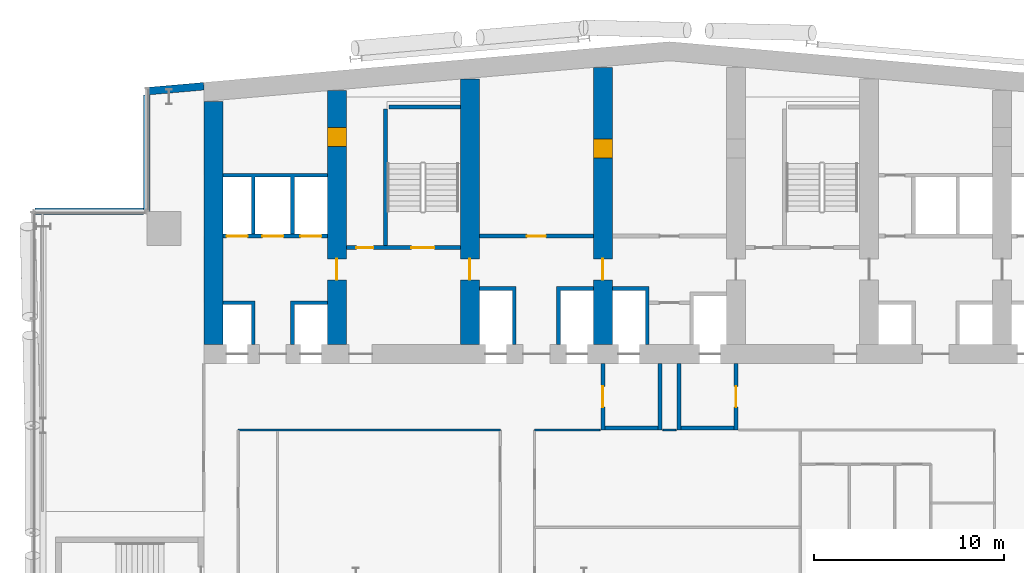
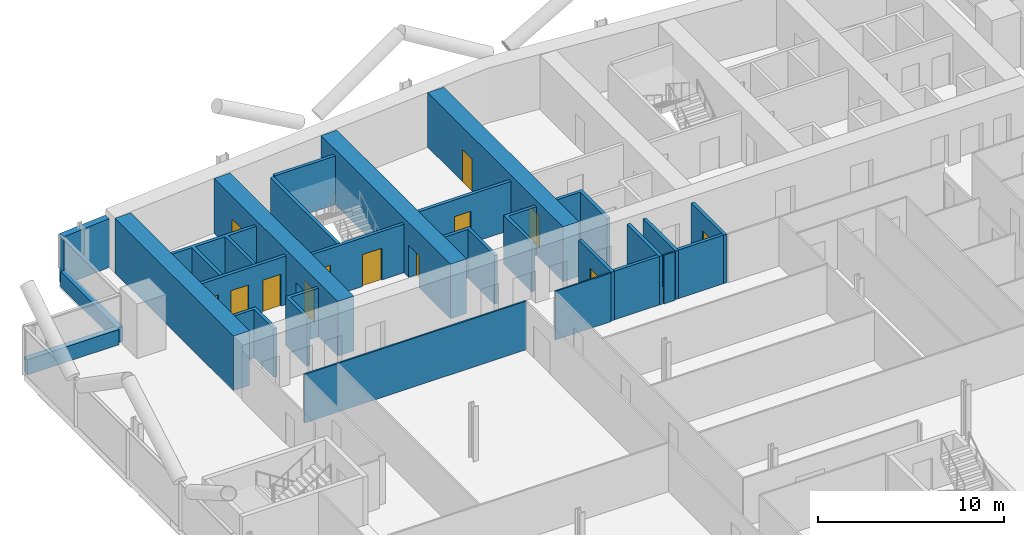
# One storey, part 16 of 27: 27 walls, 13 doors, 13 openings.
"""IFC4 building model written with IfcOpenShell, lengths in metres."""

from ifc_helpers import new_model, si_unit, direction, frame, frame_2d, origin, place, context, subcontext, project, spatial, polyline, rectangle, outline, extrude, material, layer, layer_set, type_object, element, fill, save


model = new_model("IFC4")

# Units and contexts
model_context = context("Model", 3, precision=1e-05, world=origin(), true_north=direction((0.0, 1.0)))
body_context = subcontext(model_context, "Body", "Model", "MODEL_VIEW")
ifc_project = project(units=[si_unit("LENGTHUNIT", "METRE"), si_unit("AREAUNIT", "SQUARE_METRE"), si_unit("VOLUMEUNIT", "CUBIC_METRE"), si_unit("PLANEANGLEUNIT", "RADIAN"), si_unit("MASSUNIT", "GRAM", prefix="KILO")], contexts=[model_context])

# Site, building, storey
site_placement = place(None, origin())
site = spatial("IfcSite", under=ifc_project, at=site_placement, CompositionType="ELEMENT")
building_placement = place(site_placement, origin())
building = spatial("IfcBuilding", under=site, at=building_placement, Name="Wharfspan Tower", CompositionType="ELEMENT")
storey_placement = place(building_placement, frame((0.0, 0.0, 111.100098)))
storey = spatial("IfcBuildingStorey", under=building, at=storey_placement, Name="L25", CompositionType="ELEMENT", Elevation=111.100098)

# Walls
ifc_material_1 = material(Name="Gypsum board on steel studs", Category="steel")
ifc_layer_1 = layer(ifc_material_1, 0.100098)
ifc_layer_set_1 = layer_set([ifc_layer_1], Name="Gypsum board on steel studs")
wall_type_1 = type_object("IfcWallType", Name="Compartment wall 100 EI 60", PredefinedType="PARTITIONING", material=ifc_layer_set_1)
wall_1_placement = place(storey_placement, frame((17.800049, 30.5, 0.0), z_axis=(0.0, 0.0, 1.0), x_axis=(1.0, 0.0, 0.0)))
element("IfcWall", 1, at=wall_1_placement, inside=storey, type_object=wall_type_1, Name="Partition L25.w009", PredefinedType="PARTITIONING", context=body_context, shape_type="SweptSolid", body=[
    extrude(rectangle(XDim=13.800049, YDim=0.100098, at=frame_2d((6.899902, 0.0))), origin(), (0.0, 0.0, 1.0), 3.199951),
])
wall_2_placement = place(storey_placement, frame((33.399902, 30.5, 0.0), z_axis=(0.0, 0.0, 1.0), x_axis=(1.0, 0.0, 0.0)))
element("IfcWall", 2, at=wall_2_placement, inside=storey, type_object=wall_type_1, Name="Partition L25.w020", PredefinedType="PARTITIONING", context=body_context, shape_type="SweptSolid", body=[
    extrude(rectangle(XDim=3.450195, YDim=0.100098, at=frame_2d((1.725098, 0.0))), origin(), (0.0, 0.0, 1.0), 3.199951),
])
wall_3_placement = place(storey_placement, frame((40.149902, 30.5, 0.0), z_axis=(0.0, 0.0, 1.0), x_axis=(1.0, 0.0, 0.0)))
element("IfcWall", 3, at=wall_3_placement, inside=storey, type_object=wall_type_1, Name="Partition L25.w020 (2)", PredefinedType="PARTITIONING", context=body_context, shape_type="SweptSolid", body=[
    extrude(rectangle(XDim=0.700195, YDim=0.100098, at=frame_2d((0.350098, 0.0))), origin(), (0.0, 0.0, 1.0), 3.199951),
])
ifc_material_2 = material(Name="Concrete C70/85", Category="concrete")
ifc_layer_2 = layer(ifc_material_2, 1.0)
ifc_layer_set_2 = layer_set([ifc_layer_2], Name="Concrete C70/85")
wall_type_2 = type_object("IfcWallType", Name="Core wall 1000 C70/85", PredefinedType="SHEAR", material=ifc_layer_set_2)
wall_4_placement = place(storey_placement, frame((16.5, 35.0, 0.0), z_axis=(0.0, 0.0, 1.0), x_axis=(0.0, 1.0, 0.0)))
element("IfcWall", 4, at=wall_4_placement, inside=storey, type_object=wall_type_2, Name="Core cross wall EW0 L25", PredefinedType="SHEAR", context=body_context, shape_type="SweptSolid", body=[
    extrude(rectangle(XDim=12.783691, YDim=1.0, at=frame_2d((6.391846, 0.0))), origin(), (0.0, 0.0, 1.0), 3.599854),
])

# Wall, openings, doors
wall_5_placement = place(storey_placement, frame((23.0, 35.0, 0.0), z_axis=(0.0, 0.0, 1.0), x_axis=(0.0, 1.0, 0.0)))
wall_5 = element("IfcWall", 5, at=wall_5_placement, inside=storey, type_object=wall_type_2, Name="Core cross wall X2 L25", PredefinedType="SHEAR", context=body_context, shape_type="SweptSolid", body=[
    extrude(rectangle(XDim=13.352295, YDim=1.0, at=frame_2d((6.67627, 0.0))), origin(), (0.0, 0.0, 1.0), 3.599854),
])
opening_1_placement = place(wall_5_placement, frame((10.425537, 0.0, 0.0)))
opening_1 = element("IfcOpeningElement", 6, at=opening_1_placement, cuts=wall_5, Name="Opening CD25.1X", PredefinedType="OPENING", context=body_context, shape_type="SweptSolid", body=[
    extrude(rectangle(XDim=1.0, YDim=2.100098, at=frame_2d((0.5, 1.050049))), frame((0.0, 0.51001, 0.0), z_axis=(0.0, -1.0, 0.0), x_axis=(1.0, 0.0, 0.0)), (0.0, 0.0, 1.0), 1.02002),
])
opening_2_placement = place(wall_5_placement, frame((3.399902, 0.0, 0.0)))
opening_2 = element("IfcOpeningElement", 7, at=opening_2_placement, cuts=wall_5, Name="Opening CC25.2", PredefinedType="OPENING", context=body_context, shape_type="SweptSolid", body=[
    extrude(rectangle(XDim=1.100098, YDim=2.100098, at=frame_2d((0.550049, 1.050049))), frame((0.0, 0.51001, 0.0), z_axis=(0.0, -1.0, 0.0), x_axis=(1.0, 0.0, 0.0)), (0.0, 0.0, 1.0), 1.02002),
])
ifc_material_3 = material(Name="Steel door leaf", Category="steel")
door_type_1 = type_object("IfcDoorType", Name="Core corridor door 1100x2100", OperationType="SINGLE_SWING_LEFT", PredefinedType="DOOR", material=ifc_material_3)
door_1_placement = place(opening_2_placement, origin())
door_1 = element("IfcDoor", 8, at=door_1_placement, inside=storey, type_object=door_type_1, Name="xd:L25:2", OperationType="SINGLE_SWING_RIGHT", OverallHeight=2.100098, OverallWidth=1.100098, PredefinedType="DOOR", context=body_context, shape_type="SweptSolid", body=[
    extrude(rectangle(XDim=1.100098, YDim=2.100098, at=frame_2d((0.550049, 1.050049))), frame((0.0, 0.024902, 0.0), z_axis=(0.0, -1.0, 0.0), x_axis=(1.0, 0.0, 0.0)), (0.0, 0.0, 1.0), 0.050049),
])
fill(opening_2, door_1)
door_type_2 = type_object("IfcDoorType", Name="Core room door 1000x2100", OperationType="SINGLE_SWING_LEFT", PredefinedType="DOOR", material=ifc_material_3)
door_2_placement = place(opening_1_placement, origin())
door_2 = element("IfcDoor", 9, at=door_2_placement, inside=storey, type_object=door_type_2, Name="d:L25:1:sx", OperationType="SINGLE_SWING_LEFT", OverallHeight=2.100098, OverallWidth=1.0, PredefinedType="DOOR", context=body_context, shape_type="SweptSolid", body=[
    extrude(rectangle(XDim=1.0, YDim=2.100098, at=frame_2d((0.5, 1.050049))), frame((0.0, 0.499756, 0.0), z_axis=(0.0, -1.0, 0.0), x_axis=(1.0, 0.0, 0.0)), (0.0, 0.0, 1.0), 0.999512),
])
fill(opening_1, door_2)

# Wall, opening, door
wall_6_placement = place(storey_placement, frame((30.0, 35.0, 0.0), z_axis=(0.0, 0.0, 1.0), x_axis=(0.0, 1.0, 0.0)))
wall_6 = element("IfcWall", 10, at=wall_6_placement, inside=storey, type_object=wall_type_2, Name="Core cross wall X3 L25", PredefinedType="SHEAR", context=body_context, shape_type="SweptSolid", body=[
    extrude(rectangle(XDim=13.9646, YDim=1.0, at=frame_2d((6.982422, 0.0))), origin(), (0.0, 0.0, 1.0), 3.599854),
])
opening_3_placement = place(wall_6_placement, frame((3.399902, 0.0, 0.0)))
opening_3 = element("IfcOpeningElement", 11, at=opening_3_placement, cuts=wall_6, Name="Opening CC25.3", PredefinedType="OPENING", context=body_context, shape_type="SweptSolid", body=[
    extrude(rectangle(XDim=1.100098, YDim=2.100098, at=frame_2d((0.550049, 1.050049))), frame((0.0, 0.51001, 0.0), z_axis=(0.0, -1.0, 0.0), x_axis=(1.0, 0.0, 0.0)), (0.0, 0.0, 1.0), 1.02002),
])
door_3_placement = place(opening_3_placement, origin())
door_3 = element("IfcDoor", 12, at=door_3_placement, inside=storey, type_object=door_type_1, Name="xd:L25:3", OperationType="SINGLE_SWING_LEFT", OverallHeight=2.100098, OverallWidth=1.100098, PredefinedType="DOOR", context=body_context, shape_type="SweptSolid", body=[
    extrude(rectangle(XDim=1.100098, YDim=2.100098, at=frame_2d((0.550049, 1.050049))), frame((0.0, 0.024902, 0.0), z_axis=(0.0, -1.0, 0.0), x_axis=(1.0, 0.0, 0.0)), (0.0, 0.0, 1.0), 0.050049),
])
fill(opening_3, door_3)

# Wall, openings, doors
wall_7_placement = place(storey_placement, frame((37.0, 35.0, 0.0), z_axis=(0.0, 0.0, 1.0), x_axis=(0.0, 1.0, 0.0)))
wall_7 = element("IfcWall", 13, at=wall_7_placement, inside=storey, type_object=wall_type_2, Name="Core cross wall X4 L25", PredefinedType="SHEAR", context=body_context, shape_type="SweptSolid", body=[
    extrude(rectangle(XDim=14.577148, YDim=1.0, at=frame_2d((7.288574, 0.0))), origin(), (0.0, 0.0, 1.0), 3.599854),
])
opening_4_placement = place(wall_7_placement, frame((3.399902, 0.0, 0.0)))
opening_4 = element("IfcOpeningElement", 14, at=opening_4_placement, cuts=wall_7, Name="Opening CC25.4", PredefinedType="OPENING", context=body_context, shape_type="SweptSolid", body=[
    extrude(rectangle(XDim=1.100098, YDim=2.100098, at=frame_2d((0.550049, 1.050049))), frame((0.0, 0.51001, 0.0), z_axis=(0.0, -1.0, 0.0), x_axis=(1.0, 0.0, 0.0)), (0.0, 0.0, 1.0), 1.02002),
])
opening_5_placement = place(wall_7_placement, frame((9.800049, 0.0, 0.0)))
opening_5 = element("IfcOpeningElement", 15, at=opening_5_placement, cuts=wall_7, Name="Opening CR25.4", PredefinedType="OPENING", context=body_context, shape_type="SweptSolid", body=[
    extrude(rectangle(XDim=1.0, YDim=2.100098, at=frame_2d((0.5, 1.050049))), frame((0.0, 0.51001, 0.0), z_axis=(0.0, -1.0, 0.0), x_axis=(1.0, 0.0, 0.0)), (0.0, 0.0, 1.0), 1.02002),
])
door_4_placement = place(opening_4_placement, origin())
door_4 = element("IfcDoor", 16, at=door_4_placement, inside=storey, type_object=door_type_1, Name="xd:L25:4", OperationType="SINGLE_SWING_RIGHT", OverallHeight=2.100098, OverallWidth=1.100098, PredefinedType="DOOR", context=body_context, shape_type="SweptSolid", body=[
    extrude(rectangle(XDim=1.100098, YDim=2.100098, at=frame_2d((0.550049, 1.050049))), frame((0.0, 0.024902, 0.0), z_axis=(0.0, -1.0, 0.0), x_axis=(1.0, 0.0, 0.0)), (0.0, 0.0, 1.0), 0.050049),
])
fill(opening_4, door_4)
door_5_placement = place(opening_5_placement, origin())
door_5 = element("IfcDoor", 17, at=door_5_placement, inside=storey, type_object=door_type_2, Name="xr:L25:4", OperationType="SINGLE_SWING_RIGHT", OverallHeight=2.100098, OverallWidth=1.0, PredefinedType="DOOR", context=body_context, shape_type="SweptSolid", body=[
    extrude(rectangle(XDim=1.0, YDim=2.100098, at=frame_2d((0.5, 1.050049))), frame((0.0, 0.499756, 0.0), z_axis=(0.0, -1.0, 0.0), x_axis=(1.0, 0.0, 0.0)), (0.0, 0.0, 1.0), 0.999512),
])
fill(opening_5, door_5)

ifc_material_4 = material(Name="Concrete C30/37", Category="concrete")
ifc_layer_3 = layer(ifc_material_4, 0.199951)
ifc_layer_set_3 = layer_set([ifc_layer_3], Name="Concrete C30/37")
wall_type_3 = type_object("IfcWallType", Name="Lift shaft wall 200", PredefinedType="PARTITIONING", material=ifc_layer_set_3)
wall_8_placement = place(storey_placement, frame((17.0, 40.699951, 0.0), z_axis=(0.0, 0.0, 1.0), x_axis=(1.0, 0.0, 0.0)))
wall_8 = element("IfcWall", 18, at=wall_8_placement, inside=storey, type_object=wall_type_3, Name="sw:L25:RF1", PredefinedType="PARTITIONING", context=body_context, shape_type="SweptSolid", body=[
    extrude(rectangle(XDim=5.5, YDim=0.199951, at=frame_2d((2.75, 0.0))), origin(), (0.0, 0.0, 1.0), 3.199951),
])
opening_6_placement = place(wall_8_placement, frame((0.199951, 0.0, 0.0)))
opening_6 = element("IfcOpeningElement", 19, at=opening_6_placement, cuts=wall_8, Name="Opening LD.LA3.L25", PredefinedType="OPENING", context=body_context, shape_type="SweptSolid", body=[
    extrude(rectangle(XDim=1.100098, YDim=2.100098, at=frame_2d((0.550049, 1.050049))), frame((0.0, 0.109863, 0.0), z_axis=(0.0, -1.0, 0.0), x_axis=(1.0, 0.0, 0.0)), (0.0, 0.0, 1.0), 0.219971),
])
opening_7_placement = place(wall_8_placement, frame((2.083252, 0.0, 0.0)))
opening_7 = element("IfcOpeningElement", 20, at=opening_7_placement, cuts=wall_8, Name="Opening LD.LA4.L25", PredefinedType="OPENING", context=body_context, shape_type="SweptSolid", body=[
    extrude(rectangle(XDim=1.100098, YDim=2.100098, at=frame_2d((0.550049, 1.050049))), frame((0.0, 0.109863, 0.0), z_axis=(0.0, -1.0, 0.0), x_axis=(1.0, 0.0, 0.0)), (0.0, 0.0, 1.0), 0.219971),
])
opening_8_placement = place(wall_8_placement, frame((4.083252, 0.0, 0.0)))
opening_8 = element("IfcOpeningElement", 21, at=opening_8_placement, cuts=wall_8, Name="Opening LD.LA5.L25", PredefinedType="OPENING", context=body_context, shape_type="SweptSolid", body=[
    extrude(rectangle(XDim=1.100098, YDim=2.100098, at=frame_2d((0.550049, 1.050049))), frame((0.0, 0.109863, 0.0), z_axis=(0.0, -1.0, 0.0), x_axis=(1.0, 0.0, 0.0)), (0.0, 0.0, 1.0), 0.219971),
])
ifc_material_5 = material(Name="Stainless steel", Category="steel")
door_type_3 = type_object("IfcDoorType", Name="Lift landing door 1100x2100", OperationType="DOUBLE_DOOR_SLIDING", PredefinedType="DOOR", material=ifc_material_5)
door_6_placement = place(opening_6_placement, origin())
door_6 = element("IfcDoor", 22, at=door_6_placement, inside=storey, type_object=door_type_3, Name="Landing door LA3 L25", OperationType="DOUBLE_DOOR_SLIDING", OverallHeight=2.100098, OverallWidth=1.100098, PredefinedType="DOOR", context=body_context, shape_type="SweptSolid", body=[
    extrude(rectangle(XDim=1.100098, YDim=2.100098, at=frame_2d((0.550049, 1.050049))), frame((0.0, 0.024902, 0.0), z_axis=(0.0, -1.0, 0.0), x_axis=(1.0, 0.0, 0.0)), (0.0, 0.0, 1.0), 0.050049),
])
fill(opening_6, door_6)
door_7_placement = place(opening_7_placement, origin())
door_7 = element("IfcDoor", 23, at=door_7_placement, inside=storey, type_object=door_type_3, Name="Landing door LA4 L25", OperationType="DOUBLE_DOOR_SLIDING", OverallHeight=2.100098, OverallWidth=1.100098, PredefinedType="DOOR", context=body_context, shape_type="SweptSolid", body=[
    extrude(rectangle(XDim=1.100098, YDim=2.100098, at=frame_2d((0.550049, 1.050049))), frame((0.0, 0.024902, 0.0), z_axis=(0.0, -1.0, 0.0), x_axis=(1.0, 0.0, 0.0)), (0.0, 0.0, 1.0), 0.050049),
])
fill(opening_7, door_7)
door_8_placement = place(opening_8_placement, origin())
door_8 = element("IfcDoor", 24, at=door_8_placement, inside=storey, type_object=door_type_3, Name="Landing door LA5 L25", OperationType="DOUBLE_DOOR_SLIDING", OverallHeight=2.100098, OverallWidth=1.100098, PredefinedType="DOOR", context=body_context, shape_type="SweptSolid", body=[
    extrude(rectangle(XDim=1.100098, YDim=2.100098, at=frame_2d((0.550049, 1.050049))), frame((0.0, 0.024902, 0.0), z_axis=(0.0, -1.0, 0.0), x_axis=(1.0, 0.0, 0.0)), (0.0, 0.0, 1.0), 0.050049),
])
fill(opening_8, door_8)

# Walls
wall_9_placement = place(storey_placement, frame((0.0, 0.0, -0.000244)))
element("IfcWall", 25, at=wall_9_placement, inside=storey, type_object=wall_type_3, Name="sw:L25:FM1.0", PredefinedType="PARTITIONING", context=body_context, shape_type="SweptSolid", body=[
    extrude(outline(polyline([(18.5, 37.100098), (17.0, 37.100098), (17.0, 37.300049), (18.5, 37.300049), (18.699951, 37.300049), (18.699951, 35.0), (18.5, 35.0), (18.5, 37.100098)])), origin(), (0.0, 0.0, 1.0), 3.200195),
])
wall_10_placement = place(storey_placement, frame((0.0, 0.0, -0.000244)))
element("IfcWall", 26, at=wall_10_placement, inside=storey, type_object=wall_type_3, Name="sw:L25:FM1.1", PredefinedType="PARTITIONING", context=body_context, shape_type="SweptSolid", body=[
    extrude(outline(polyline([(20.56665, 37.300049), (20.766602, 37.300049), (22.5, 37.300049), (22.5, 37.100098), (20.766602, 37.100098), (20.766602, 35.0), (20.56665, 35.0), (20.56665, 37.300049)])), origin(), (0.0, 0.0, 1.0), 3.200195),
])
wall_11_placement = place(storey_placement, frame((0.0, 0.0, -0.000244)))
element("IfcWall", 27, at=wall_11_placement, inside=storey, type_object=wall_type_3, Name="sw:L25:RM1.0", PredefinedType="PARTITIONING", context=body_context, shape_type="SweptSolid", body=[
    extrude(outline(polyline([(18.699951, 40.800049), (18.5, 40.800049), (18.5, 43.800049), (17.0, 43.800049), (17.0, 44.0), (22.5, 44.0), (22.5, 43.800049), (20.766602, 43.800049), (20.766602, 40.800049), (20.56665, 40.800049), (20.56665, 43.800049), (18.699951, 43.800049), (18.699951, 40.800049)])), origin(), (0.0, 0.0, 1.0), 3.200195),
])

# Wall, opening, door
wall_12_placement = place(storey_placement, frame((30.5, 40.699951, 0.0), z_axis=(0.0, 0.0, 1.0), x_axis=(1.0, 0.0, 0.0)))
wall_12 = element("IfcWall", 28, at=wall_12_placement, inside=storey, type_object=wall_type_3, Name="sw:L25:RF3", PredefinedType="PARTITIONING", context=body_context, shape_type="SweptSolid", body=[
    extrude(rectangle(XDim=6.0, YDim=0.199951, at=frame_2d((3.0, 0.0))), origin(), (0.0, 0.0, 1.0), 3.199951),
])
opening_9_placement = place(wall_12_placement, frame((2.5, 0.0, 0.0)))
opening_9 = element("IfcOpeningElement", 29, at=opening_9_placement, cuts=wall_12, Name="Opening CD25.3S", PredefinedType="OPENING", context=body_context, shape_type="SweptSolid", body=[
    extrude(rectangle(XDim=1.0, YDim=2.100098, at=frame_2d((0.5, 1.050049))), frame((0.0, 0.109863, 0.0), z_axis=(0.0, -1.0, 0.0), x_axis=(1.0, 0.0, 0.0)), (0.0, 0.0, 1.0), 0.219971),
])
door_9_placement = place(opening_9_placement, origin())
door_9 = element("IfcDoor", 30, at=door_9_placement, inside=storey, type_object=door_type_2, Name="d:L25:3:sf", OperationType="SINGLE_SWING_LEFT", OverallHeight=2.100098, OverallWidth=1.0, PredefinedType="DOOR", context=body_context, shape_type="SweptSolid", body=[
    extrude(rectangle(XDim=1.0, YDim=2.100098, at=frame_2d((0.5, 1.050049))), frame((0.0, 0.024902, 0.0), z_axis=(0.0, -1.0, 0.0), x_axis=(1.0, 0.0, 0.0)), (0.0, 0.0, 1.0), 0.050049),
])
fill(opening_9, door_9)

# Walls
wall_13_placement = place(storey_placement, frame((0.0, 0.0, -0.000244)))
element("IfcWall", 31, at=wall_13_placement, inside=storey, type_object=wall_type_3, Name="sw:L25:FM3.0", PredefinedType="PARTITIONING", context=body_context, shape_type="SweptSolid", body=[
    extrude(outline(polyline([(32.233398, 37.850098), (30.5, 37.850098), (30.5, 38.050049), (32.233398, 38.050049), (32.43335, 38.050049), (32.43335, 35.0), (32.233398, 35.0), (32.233398, 37.850098)])), origin(), (0.0, 0.0, 1.0), 3.200195),
])
wall_14_placement = place(storey_placement, frame((0.0, 0.0, -0.000244)))
element("IfcWall", 32, at=wall_14_placement, inside=storey, type_object=wall_type_3, Name="sw:L25:FM3.1", PredefinedType="PARTITIONING", context=body_context, shape_type="SweptSolid", body=[
    extrude(outline(polyline([(34.56665, 38.050049), (34.766602, 38.050049), (36.5, 38.050049), (36.5, 37.850098), (34.766602, 37.850098), (34.766602, 35.0), (34.56665, 35.0), (34.56665, 38.050049)])), origin(), (0.0, 0.0, 1.0), 3.200195),
])
wall_15_placement = place(storey_placement, frame((0.0, 0.0, -0.000244)))
element("IfcWall", 33, at=wall_15_placement, inside=storey, type_object=wall_type_3, Name="sw:L25:FM4.1", PredefinedType="PARTITIONING", context=body_context, shape_type="SweptSolid", body=[
    extrude(outline(polyline([(39.233398, 37.850098), (37.5, 37.850098), (37.5, 38.050049), (39.233398, 38.050049), (39.43335, 38.050049), (39.43335, 35.0), (39.233398, 35.0), (39.233398, 37.850098)])), origin(), (0.0, 0.0, 1.0), 3.200195),
])

# Wall, opening, door
ifc_layer_4 = layer(ifc_material_4, 0.199951)
ifc_layer_set_4 = layer_set([ifc_layer_4], Name="Concrete C30/37")
wall_type_4 = type_object("IfcWallType", Name="Lobby wall 200", PredefinedType="PARTITIONING", material=ifc_layer_set_4)
wall_16_placement = place(storey_placement, frame((37.0, 30.5, 0.0), z_axis=(0.0, 0.0, 1.0), x_axis=(0.0, 1.0, 0.0)))
wall_16 = element("IfcWall", 34, at=wall_16_placement, inside=storey, type_object=wall_type_4, Name="sw:L25:FLFF1W", PredefinedType="PARTITIONING", context=body_context, shape_type="SweptSolid", body=[
    extrude(rectangle(XDim=3.5, YDim=0.199951, at=frame_2d((1.75, 0.0))), origin(), (0.0, 0.0, 1.0), 3.199951),
])
opening_10_placement = place(wall_16_placement, frame((1.199951, 0.0, 0.0)))
opening_10 = element("IfcOpeningElement", 35, at=opening_10_placement, cuts=wall_16, Name="Opening FL.FF1.L25", PredefinedType="OPENING", context=body_context, shape_type="SweptSolid", body=[
    extrude(rectangle(XDim=1.100098, YDim=2.100098, at=frame_2d((0.550049, 1.050049))), frame((0.0, 0.109863, 0.0), z_axis=(0.0, -1.0, 0.0), x_axis=(1.0, 0.0, 0.0)), (0.0, 0.0, 1.0), 0.219971),
])
door_type_4 = type_object("IfcDoorType", Name="Firefighting lobby door 1100x2100", OperationType="SINGLE_SWING_LEFT", PredefinedType="DOOR", material=ifc_material_3)
door_10_placement = place(opening_10_placement, origin())
door_10 = element("IfcDoor", 36, at=door_10_placement, inside=storey, type_object=door_type_4, Name="fd:L25:FF1", OperationType="SINGLE_SWING_LEFT", OverallHeight=2.100098, OverallWidth=1.100098, PredefinedType="DOOR", context=body_context, shape_type="SweptSolid", body=[
    extrude(rectangle(XDim=1.100098, YDim=2.100098, at=frame_2d((0.550049, 1.050049))), frame((0.0, 0.024902, 0.0), z_axis=(0.0, -1.0, 0.0), x_axis=(1.0, 0.0, 0.0)), (0.0, 0.0, 1.0), 0.050049),
])
fill(opening_10, door_10)

# Walls
wall_17_placement = place(storey_placement, frame((40.0, 30.5, 0.0), z_axis=(0.0, 0.0, 1.0), x_axis=(0.0, 1.0, 0.0)))
element("IfcWall", 37, at=wall_17_placement, inside=storey, type_object=wall_type_4, Name="sw:L25:FLFF1E", PredefinedType="PARTITIONING", context=body_context, shape_type="SweptSolid", body=[
    extrude(rectangle(XDim=3.5, YDim=0.199951, at=frame_2d((1.75, 0.0))), origin(), (0.0, 0.0, 1.0), 3.199951),
])
wall_18_placement = place(storey_placement, frame((37.100098, 30.600098, 0.0), z_axis=(0.0, 0.0, 1.0), x_axis=(1.0, 0.0, 0.0)))
element("IfcWall", 38, at=wall_18_placement, inside=storey, type_object=wall_type_4, Name="sw:L25:FLFF1F", PredefinedType="PARTITIONING", context=body_context, shape_type="SweptSolid", body=[
    extrude(rectangle(XDim=2.799805, YDim=0.199951, at=frame_2d((1.399902, 0.0))), origin(), (0.0, 0.0, 1.0), 3.199951),
])
wall_19_placement = place(storey_placement, frame((41.0, 30.5, 0.0), z_axis=(0.0, 0.0, 1.0), x_axis=(0.0, 1.0, 0.0)))
element("IfcWall", 39, at=wall_19_placement, inside=storey, type_object=wall_type_4, Name="sw:L25:FLFF2W", PredefinedType="PARTITIONING", context=body_context, shape_type="SweptSolid", body=[
    extrude(rectangle(XDim=3.5, YDim=0.199951, at=frame_2d((1.75, 0.0))), origin(), (0.0, 0.0, 1.0), 3.199951),
])

# Wall, opening, door
wall_20_placement = place(storey_placement, frame((44.0, 30.5, 0.0), z_axis=(0.0, 0.0, 1.0), x_axis=(0.0, 1.0, 0.0)))
wall_20 = element("IfcWall", 40, at=wall_20_placement, inside=storey, type_object=wall_type_4, Name="sw:L25:FLFF2E", PredefinedType="PARTITIONING", context=body_context, shape_type="SweptSolid", body=[
    extrude(rectangle(XDim=3.5, YDim=0.199951, at=frame_2d((1.75, 0.0))), origin(), (0.0, 0.0, 1.0), 3.199951),
])
opening_11_placement = place(wall_20_placement, frame((1.199951, 0.0, 0.0)))
opening_11 = element("IfcOpeningElement", 41, at=opening_11_placement, cuts=wall_20, Name="Opening FL.FF2.L25", PredefinedType="OPENING", context=body_context, shape_type="SweptSolid", body=[
    extrude(rectangle(XDim=1.100098, YDim=2.100098, at=frame_2d((0.550049, 1.050049))), frame((0.0, 0.109863, 0.0), z_axis=(0.0, -1.0, 0.0), x_axis=(1.0, 0.0, 0.0)), (0.0, 0.0, 1.0), 0.219971),
])
door_11_placement = place(opening_11_placement, origin())
door_11 = element("IfcDoor", 42, at=door_11_placement, inside=storey, type_object=door_type_4, Name="fd:L25:FF2", OperationType="SINGLE_SWING_LEFT", OverallHeight=2.100098, OverallWidth=1.100098, PredefinedType="DOOR", context=body_context, shape_type="SweptSolid", body=[
    extrude(rectangle(XDim=1.100098, YDim=2.100098, at=frame_2d((0.550049, 1.050049))), frame((0.0, 0.024902, 0.0), z_axis=(0.0, -1.0, 0.0), x_axis=(1.0, 0.0, 0.0)), (0.0, 0.0, 1.0), 0.050049),
])
fill(opening_11, door_11)

# Walls
wall_21_placement = place(storey_placement, frame((41.100098, 30.600098, 0.0), z_axis=(0.0, 0.0, 1.0), x_axis=(1.0, 0.0, 0.0)))
element("IfcWall", 43, at=wall_21_placement, inside=storey, type_object=wall_type_4, Name="sw:L25:FLFF2F", PredefinedType="PARTITIONING", context=body_context, shape_type="SweptSolid", body=[
    extrude(rectangle(XDim=2.799805, YDim=0.199951, at=frame_2d((1.399902, 0.0))), origin(), (0.0, 0.0, 1.0), 3.199951),
])
ifc_material_6 = material(Name="Concrete C40/50", Category="concrete")
ifc_layer_5 = layer(ifc_material_6, 0.350098)
ifc_layer_set_5 = layer_set([ifc_layer_5], Name="Concrete C40/50")
wall_type_5 = type_object("IfcWallType", Name="SPANDREL EXPOSED CONCRETE 350", PredefinedType="SOLIDWALL", material=ifc_layer_set_5)
wall_22_placement = place(storey_placement, frame((12.995117, 48.126465, 0.0), z_axis=(0.0, 0.0, 1.0), x_axis=(0.0, -1.0, 0.0)))
element("IfcWall", 44, at=wall_22_placement, inside=storey, type_object=wall_type_5, Name="Spandrel upstand L25 NRW-V", PredefinedType="SOLIDWALL", context=body_context, shape_type="SweptSolid", body=[
    extrude(rectangle(XDim=6.126465, YDim=0.350098, at=frame_2d((3.063232, 0.0))), origin(), (0.0, 0.0, 1.0), 1.0),
])
wall_23_placement = place(storey_placement, frame((12.820068, 42.004883, 0.0), z_axis=(0.0, 0.0, 1.0), x_axis=(-1.0, 0.0, 0.0)))
element("IfcWall", 45, at=wall_23_placement, inside=storey, type_object=wall_type_5, Name="Spandrel upstand L25 NRW-H", PredefinedType="SOLIDWALL", context=body_context, shape_type="SweptSolid", body=[
    extrude(rectangle(XDim=5.699951, YDim=0.350098, at=frame_2d((2.850098, 0.0))), origin(), (0.0, 0.0, 1.0), 1.0),
])

# Wall, openings, doors
ifc_layer_6 = layer(ifc_material_6, 0.199951)
ifc_layer_set_6 = layer_set([ifc_layer_6], Name="Concrete C40/50")
wall_type_6 = type_object("IfcWallType", Name="Stair shaft wall 200", PredefinedType="SHEAR", material=ifc_layer_set_6)
wall_24_placement = place(storey_placement, frame((23.5, 40.100098, 0.0), z_axis=(0.0, 0.0, 1.0), x_axis=(1.0, 0.0, 0.0)))
wall_24 = element("IfcWall", 46, at=wall_24_placement, inside=storey, type_object=wall_type_6, Name="ST1 stair enclosure wall L25", PredefinedType="SHEAR", context=body_context, shape_type="SweptSolid", body=[
    extrude(rectangle(XDim=6.0, YDim=0.199951, at=frame_2d((3.0, 0.0))), origin(), (0.0, 0.0, 1.0), 3.199951),
])
opening_12_placement = place(wall_24_placement, frame((3.425049, 0.0, 0.0)))
opening_12 = element("IfcOpeningElement", 47, at=opening_12_placement, cuts=wall_24, Name="Opening SD2.L25", PredefinedType="OPENING", context=body_context, shape_type="SweptSolid", body=[
    extrude(rectangle(XDim=1.199951, YDim=2.100098, at=frame_2d((0.600098, 1.050049))), frame((0.0, 0.109863, 0.0), z_axis=(0.0, -1.0, 0.0), x_axis=(1.0, 0.0, 0.0)), (0.0, 0.0, 1.0), 0.219971),
])
opening_13_placement = place(wall_24_placement, frame((0.524902, 0.0, 0.0)))
opening_13 = element("IfcOpeningElement", 48, at=opening_13_placement, cuts=wall_24, Name="Opening CD25.2R", PredefinedType="OPENING", context=body_context, shape_type="SweptSolid", body=[
    extrude(rectangle(XDim=0.899902, YDim=2.100098, at=frame_2d((0.449951, 1.050049))), frame((0.0, 0.109863, 0.0), z_axis=(0.0, -1.0, 0.0), x_axis=(1.0, 0.0, 0.0)), (0.0, 0.0, 1.0), 0.219971),
])
door_12_placement = place(opening_13_placement, origin())
door_12 = element("IfcDoor", 49, at=door_12_placement, inside=storey, type_object=door_type_2, Name="rk:L25:2", OperationType="SINGLE_SWING_LEFT", OverallHeight=2.100098, OverallWidth=0.899902, PredefinedType="DOOR", context=body_context, shape_type="SweptSolid", body=[
    extrude(rectangle(XDim=0.899902, YDim=2.100098, at=frame_2d((0.449951, 1.050049))), frame((0.0, 0.024902, 0.0), z_axis=(0.0, -1.0, 0.0), x_axis=(1.0, 0.0, 0.0)), (0.0, 0.0, 1.0), 0.050049),
])
fill(opening_13, door_12)
door_type_5 = type_object("IfcDoorType", Name="Stair door 1200x2100", OperationType="SINGLE_SWING_LEFT", PredefinedType="DOOR", material=ifc_material_3)
door_13_placement = place(opening_12_placement, origin())
door_13 = element("IfcDoor", 50, at=door_13_placement, inside=storey, type_object=door_type_5, Name="sd:L25:2", OperationType="SINGLE_SWING_RIGHT", OverallHeight=2.100098, OverallWidth=1.199951, PredefinedType="DOOR", context=body_context, shape_type="SweptSolid", body=[
    extrude(rectangle(XDim=1.199951, YDim=2.100098, at=frame_2d((0.600098, 1.050049))), frame((0.0, 0.024902, 0.0), z_axis=(0.0, -1.0, 0.0), x_axis=(1.0, 0.0, 0.0)), (0.0, 0.0, 1.0), 0.050049),
])
fill(opening_12, door_13)

# Walls
wall_25_placement = place(storey_placement, frame((25.550049, 40.199951, 0.0), z_axis=(0.0, 0.0, 1.0), x_axis=(0.0, 1.0, 0.0)))
element("IfcWall", 51, at=wall_25_placement, inside=storey, type_object=wall_type_6, Name="ST1 stair enclosure wall L25", PredefinedType="SHEAR", context=body_context, shape_type="SweptSolid", body=[
    extrude(rectangle(XDim=7.199951, YDim=0.199951, at=frame_2d((3.600098, 0.0))), origin(), (0.0, 0.0, 1.0), 3.199951),
])
wall_26_placement = place(storey_placement, frame((25.75, 47.5, 0.0), z_axis=(0.0, 0.0, 1.0), x_axis=(1.0, 0.0, 0.0)))
element("IfcWall", 52, at=wall_26_placement, inside=storey, type_object=wall_type_6, Name="ST1 stair enclosure wall L25", PredefinedType="SHEAR", context=body_context, shape_type="SweptSolid", body=[
    extrude(rectangle(XDim=3.75, YDim=0.199951, at=frame_2d((1.875, 0.0))), origin(), (0.0, 0.0, 1.0), 3.199951),
])
ifc_layer_7 = layer(ifc_material_6, 0.399902)
ifc_layer_set_7 = layer_set([ifc_layer_7], Name="Concrete C40/50")
wall_type_7 = type_object("IfcWallType", Name="WALL EXPOSED CONCRETE 400", PredefinedType="SOLIDWALL", material=ifc_layer_set_7)
wall_27_placement = place(storey_placement, frame((16.0, 48.58667, 0.0), z_axis=(0.0, 0.0, 1.0), x_axis=(-0.996194, -0.087168, 0.0)))
element("IfcWall", 53, at=wall_27_placement, inside=storey, type_object=wall_type_7, Name="Rear wall N1", PredefinedType="SOLIDWALL", context=body_context, shape_type="SweptSolid", body=[
    extrude(rectangle(XDim=2.994141, YDim=0.399902, at=frame_2d((1.49707, 0.0))), origin(), (0.0, 0.0, 1.0), 3.199951),
])

save(model, "model.ifc")
